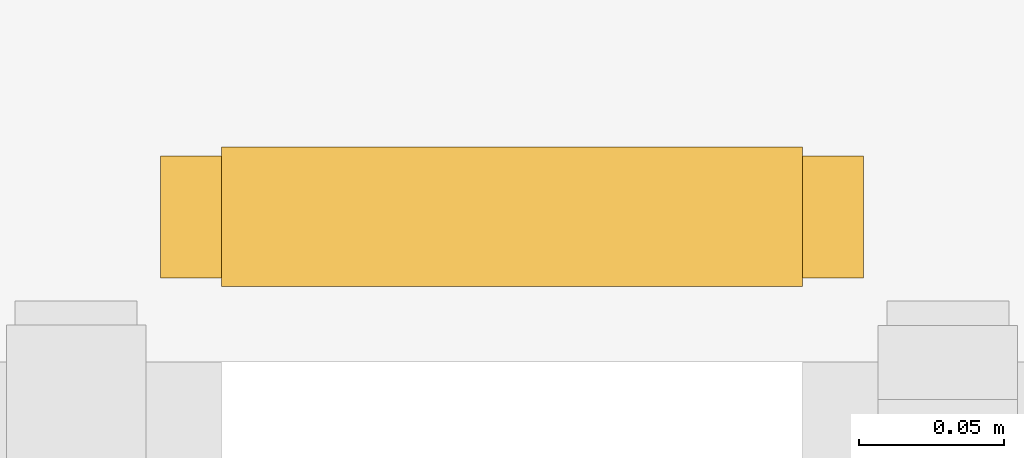
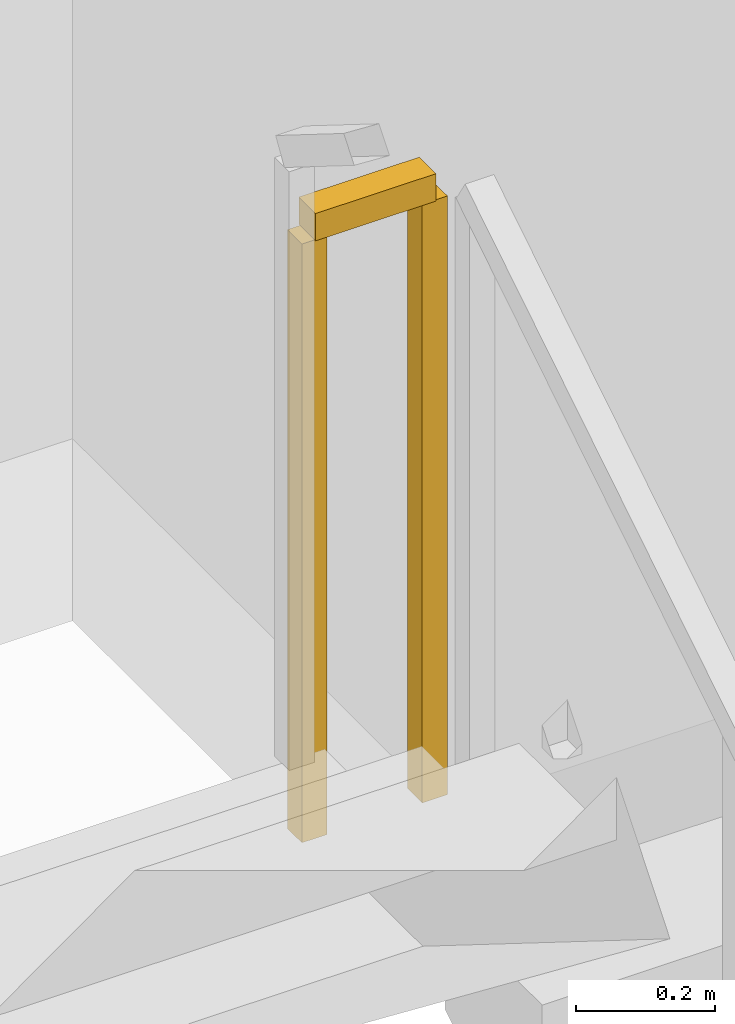
# One storey, part 17 of 22: 1 railing.
"""IFC4 building model written with IfcOpenShell, lengths in metres."""

from ifc_helpers import new_model, si_unit, direction, frame, origin, origin_2d, place, context, subcontext, project, spatial, rectangle, extrude, material, type_object, element, save


model = new_model("IFC4")

# Units and contexts
model_context = context("Model", 3, precision=1e-05, world=origin(), true_north=direction((0.0, 1.0)))
body_context = subcontext(model_context, "Body", "Model", "MODEL_VIEW")
ifc_project = project(units=[si_unit("LENGTHUNIT", "METRE"), si_unit("AREAUNIT", "SQUARE_METRE"), si_unit("VOLUMEUNIT", "CUBIC_METRE"), si_unit("PLANEANGLEUNIT", "RADIAN"), si_unit("MASSUNIT", "GRAM", prefix="KILO")], contexts=[model_context])

# Site, building, storey
site_placement = place(None, origin())
site = spatial("IfcSite", under=ifc_project, at=site_placement, CompositionType="ELEMENT")
building_placement = place(site_placement, origin())
building = spatial("IfcBuilding", under=site, at=building_placement, Name="Kiyonajd Concourse Tower", CompositionType="ELEMENT")
storey_placement = place(building_placement, frame((0.0, 0.0, 4.5)))
storey = spatial("IfcBuildingStorey", under=building, at=storey_placement, Name="L02", CompositionType="ELEMENT", Elevation=4.5)

# Railing
ifc_material = material(Name="Steel ASTM A500 Grade C", Category="steel")
railing_type = type_object("IfcRailingType", Name="RL-GRD-STR", PredefinedType="GUARDRAIL", material=ifc_material)
railing_placement = place(storey_placement, frame((11.300048828125, 32.780029296875, 2.10009765625)))
element("IfcRailing", 1, at=railing_placement, inside=storey, type_object=railing_type, Name="L02 ST4 stair guard 2", PredefinedType="GUARDRAIL", context=body_context, shape_type="SweptSolid", body=[
    extrude(rectangle(XDim=0.048095703125, YDim=0.048095703125, at=origin_2d()), frame((0.0, 0.0, 1.076171875), z_axis=(-1.0, 0.0, 0.0), x_axis=(0.0, -1.0, 0.0)), (0.0, 0.0, 1.0), 0.199951171875),
    extrude(rectangle(XDim=0.0419921875, YDim=0.0419921875, at=origin_2d()), origin(), (0.0, 0.0, 1.0), 1.052001953125),
    extrude(rectangle(XDim=0.0419921875, YDim=0.0419921875, at=origin_2d()), frame((-0.199951171875, 0.0, 0.0)), (0.0, 0.0, 1.0), 1.052001953125),
])

save(model, "model.ifc")
